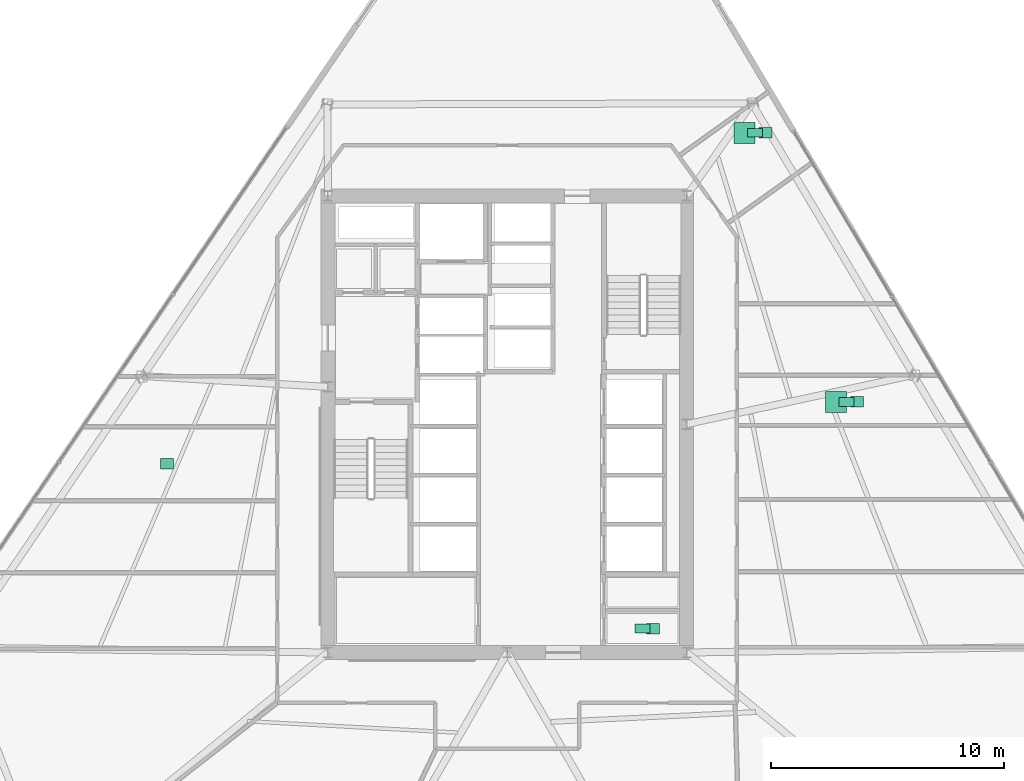
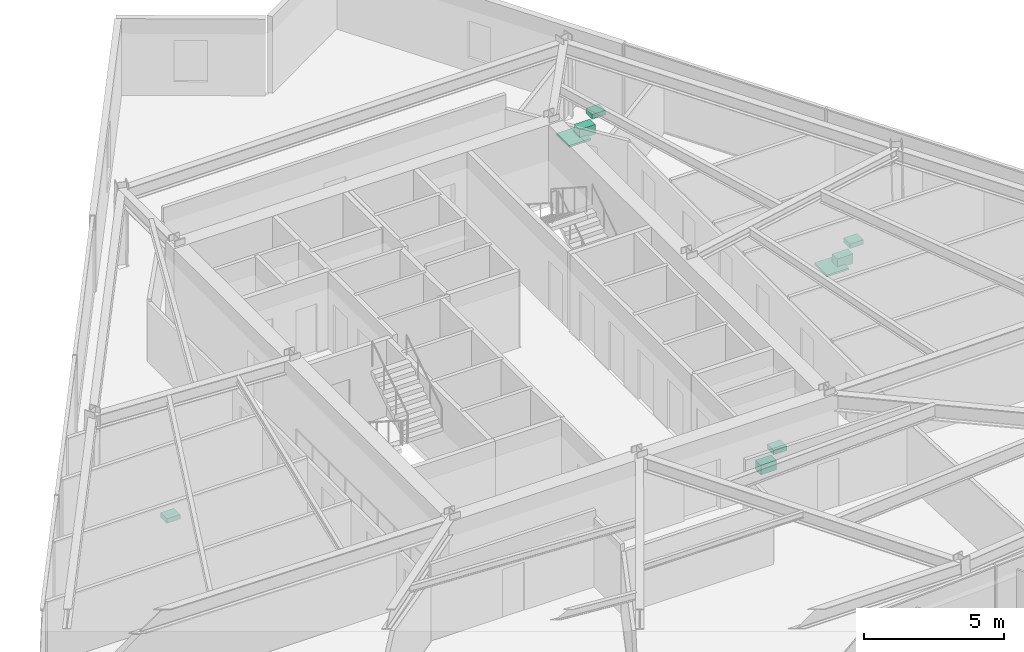
# One storey, part 17 of 17: 9 sanitary terminals.
"""IFC4 building model written with IfcOpenShell, lengths in metres."""

from ifc_helpers import new_model, si_unit, direction, frame, origin, origin_2d, place, context, subcontext, project, spatial, rectangle, extrude, material, type_object, element, save


model = new_model("IFC4")

# Units and contexts
model_context = context("Model", 3, precision=1e-05, world=origin(), true_north=direction((0.0, 1.0)))
body_context = subcontext(model_context, "Body", "Model", "MODEL_VIEW")
ifc_project = project(units=[si_unit("LENGTHUNIT", "METRE"), si_unit("AREAUNIT", "SQUARE_METRE"), si_unit("VOLUMEUNIT", "CUBIC_METRE"), si_unit("PLANEANGLEUNIT", "RADIAN"), si_unit("MASSUNIT", "GRAM", prefix="KILO")], contexts=[model_context])

# Site, building, storey
site_placement = place(None, origin())
site = spatial("IfcSite", under=ifc_project, at=site_placement, CompositionType="ELEMENT")
building_placement = place(site_placement, origin())
building = spatial("IfcBuilding", under=site, at=building_placement, Name="Savorim Split Tower", CompositionType="ELEMENT")
storey_placement = place(building_placement, frame((0.0, 0.0, 55.199951171875)))
storey = spatial("IfcBuildingStorey", under=building, at=storey_placement, Name="L14", CompositionType="ELEMENT", Elevation=55.199951171875)

# Sanitary terminals
ifc_material = material(Name="Vitreous China Sanitaryware")
sanitary_terminal_type_1 = type_object("IfcSanitaryTerminalType", Name="SAN-SHW-900", PredefinedType="SHOWER", material=ifc_material)
for number, where, z_axis, x_axis, name in (
    (1, (14.11181640625, 1.352294921875, 0.0), (0.0, 0.0, 1.0), (1.0, 0.0, 0.0), "L14 Shared Bathroom Shower"),
    (2, (10.17724609375, 12.9052734375, 0.0), (0.0, 0.0, 1.0), (1.0, 0.0, 0.0), "L14 Shared Bathroom Shower"),
):
    element("IfcSanitaryTerminal", number, at=place(storey_placement, frame(where, z_axis=z_axis, x_axis=x_axis)), inside=storey, type_object=sanitary_terminal_type_1, Name=name, PredefinedType="SHOWER", context=body_context, shape_type="SweptSolid", body=[
        extrude(rectangle(XDim=0.89990234375, YDim=0.89990234375, at=origin_2d()), origin(), (0.0, 0.0, 1.0), 0.080078125),
    ])
sanitary_terminal_type_2 = type_object("IfcSanitaryTerminalType", Name="SAN-WC-PAN", PredefinedType="TOILETPAN", material=ifc_material)
for number, where, z_axis, x_axis, name in (
    (3, (5.800048828125, -8.3701171875, 0.0), (0.0, 0.0, 1.0), (1.0, 0.0, 0.0), "L14 Accessible WC WC Pan"),
    (4, (14.561767578125, 1.352294921875, 0.0), (0.0, 0.0, 1.0), (1.0, 0.0, 0.0), "L14 Shared Bathroom WC Pan"),
    (5, (10.627197265625, 12.9052734375, 0.0), (0.0, 0.0, 1.0), (1.0, 0.0, 0.0), "L14 Shared Bathroom WC Pan"),
):
    element("IfcSanitaryTerminal", number, at=place(storey_placement, frame(where, z_axis=z_axis, x_axis=x_axis)), inside=storey, type_object=sanitary_terminal_type_2, Name=name, PredefinedType="TOILETPAN", context=body_context, shape_type="SweptSolid", body=[
        extrude(rectangle(XDim=0.64990234375, YDim=0.3798828125, at=origin_2d()), origin(), (0.0, 0.0, 1.0), 0.419921875),
    ])
sanitary_terminal_type_3 = type_object("IfcSanitaryTerminalType", Name="SAN-WHB-550", PredefinedType="WASHHANDBASIN", material=ifc_material)
for number, where, z_axis, x_axis, name in (
    (6, (6.25, -8.3701171875, 0.72021484375), (0.0, 0.0, 1.0), (1.0, 0.0, 0.0), "L14 Accessible WC Washhand Basin"),
    (7, (-14.602783203125, -1.293701171875, 0.75), (0.0, 0.0, 1.0), (1.0, 0.0, 0.0), "L14 Shared Kitchen Utility Sink"),
    (8, (15.01171875, 1.352294921875, 0.72021484375), (0.0, 0.0, 1.0), (1.0, 0.0, 0.0), "L14 Shared Bathroom Washhand Basin"),
    (9, (11.0771484375, 12.9052734375, 0.72021484375), (0.0, 0.0, 1.0), (1.0, 0.0, 0.0), "L14 Shared Bathroom Washhand Basin"),
):
    element("IfcSanitaryTerminal", number, at=place(storey_placement, frame(where, z_axis=z_axis, x_axis=x_axis)), inside=storey, type_object=sanitary_terminal_type_3, Name=name, PredefinedType="WASHHANDBASIN", context=body_context, shape_type="SweptSolid", body=[
        extrude(rectangle(XDim=0.550048828125, YDim=0.449951171875, at=origin_2d()), origin(), (0.0, 0.0, 1.0), 0.199951171875),
    ])

save(model, "model.ifc")
